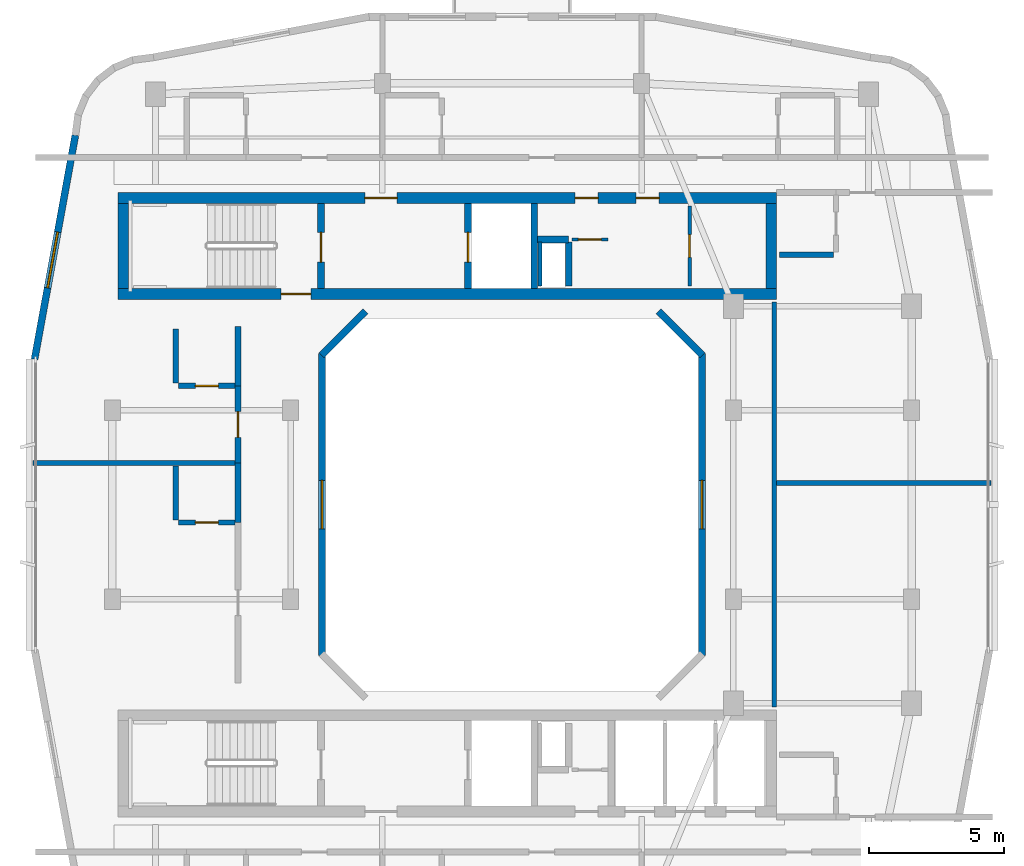
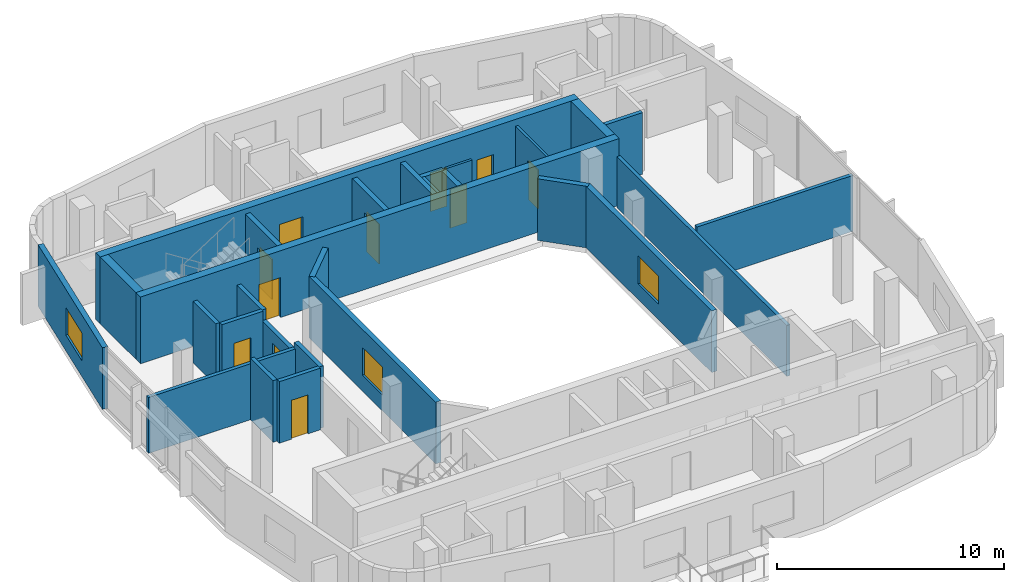
# One storey, part 5 of 10: 28 walls, 11 doors, 3 windows, 14 openings.
"""IFC4 building model written with IfcOpenShell, lengths in metres."""

from ifc_helpers import new_model, si_unit, derived_unit, direction, frame, frame_2d, origin, place, context, subcontext, project, spatial, rectangle, extrude, material, layer, layer_set, type_object, element, fill, save


model = new_model("IFC4")

# Units and contexts
model_context = context("Model", 3, precision=1e-05, world=origin(), true_north=direction((0.0, 1.0)))
body_context = subcontext(model_context, "Body", "Model", "MODEL_VIEW")
ifc_project = project(units=[si_unit("LENGTHUNIT", "METRE"), si_unit("AREAUNIT", "SQUARE_METRE"), si_unit("VOLUMEUNIT", "CUBIC_METRE"), si_unit("PLANEANGLEUNIT", "RADIAN"), si_unit("MASSUNIT", "GRAM", prefix="KILO"), derived_unit("THERMALTRANSMITTANCEUNIT", [(si_unit("POWERUNIT", "WATT"), 1), (si_unit("LENGTHUNIT", "METRE"), -2), (si_unit("THERMODYNAMICTEMPERATUREUNIT", "KELVIN"), -1)])], contexts=[model_context])

# Site, building, storey
site_placement = place(None, origin())
site = spatial("IfcSite", under=ifc_project, at=site_placement, CompositionType="ELEMENT")
building_placement = place(site_placement, origin())
building = spatial("IfcBuilding", under=site, at=building_placement, Name="Kivonza Crest Hotel", CompositionType="ELEMENT")
storey_placement = place(building_placement, frame((0.0, 0.0, 254.0)))
storey = spatial("IfcBuildingStorey", under=building, at=storey_placement, Name="L69", CompositionType="ELEMENT", Elevation=254.0)

# Walls
ifc_material_1 = material(Name="High-density acoustic masonry inter-tenancy wall", Category="masonry")
ifc_layer_1 = layer(ifc_material_1, 0.179931640625)
ifc_layer_set_1 = layer_set([ifc_layer_1], Name="High-density acoustic masonry inter-tenancy wall")
wall_type_1 = type_object("IfcWallType", Name="WL-ACOU-180", PredefinedType="SOLIDWALL", material=ifc_layer_set_1)
wall_1_placement = place(storey_placement, frame((3.260009765625, 26.5400390625, 0.0), z_axis=(0.0, 0.0, 1.0), x_axis=(1.0, 0.0, 0.0)))
element("IfcWall", 1, at=wall_1_placement, inside=storey, type_object=wall_type_1, Name="L69 interior partition WA-L69-T1W-DIV1", PredefinedType="SOLIDWALL", context=body_context, shape_type="SweptSolid", body=[
    extrude(rectangle(XDim=7.590087890625, YDim=0.179931640625, at=frame_2d((3.794921875, 0.0))), origin(), (0.0, 0.0, 1.0), 3.014892578125),
])
wall_2_placement = place(storey_placement, frame((30.800048828125, 25.800048828125, 0.0), z_axis=(0.0, 0.0, 1.0), x_axis=(1.0, 0.0, 0.0)))
element("IfcWall", 2, at=wall_2_placement, inside=storey, type_object=wall_type_1, Name="L69 interior partition WA-L69-T1EC-DIV", PredefinedType="SOLIDWALL", context=body_context, shape_type="SweptSolid", body=[
    extrude(rectangle(XDim=7.93994140625, YDim=0.179931640625, at=frame_2d((3.969970703125, 0.0))), origin(), (0.0, 0.0, 1.0), 3.014892578125),
])
wall_3_placement = place(storey_placement, frame((30.7099609375, 17.5, 0.0), z_axis=(0.0, 0.0, 1.0), x_axis=(0.0, 1.0, 0.0)))
element("IfcWall", 3, at=wall_3_placement, inside=storey, type_object=wall_type_1, Name="L69 interior partition WA-L69-T1EC-W", PredefinedType="SOLIDWALL", context=body_context, shape_type="SweptSolid", body=[
    extrude(rectangle(XDim=15.0, YDim=0.179931640625, at=frame_2d((7.5, 0.0))), origin(), (0.0, 0.0, 1.0), 2.7451171875),
])
ifc_material_2 = material(Name="Autoclaved aerated concrete blockwork", Category="masonry")
ifc_layer_2 = layer(ifc_material_2, 0.219970703125)
ifc_layer_set_2 = layer_set([ifc_layer_2], Name="Autoclaved aerated concrete blockwork")
wall_type_2 = type_object("IfcWallType", Name="WL-ACOU-220", PredefinedType="SOLIDWALL", material=ifc_layer_set_2)
wall_4_placement = place(storey_placement, frame((10.85009765625, 24.340087890625, 0.0), z_axis=(0.0, 0.0, 1.0), x_axis=(0.0, 1.0, 0.0)))
element("IfcWall", 4, at=wall_4_placement, inside=storey, type_object=wall_type_2, Name="L69 interior partition WA-L69-W06-BCORR", PredefinedType="SOLIDWALL", context=body_context, shape_type="SweptSolid", body=[
    extrude(rectangle(XDim=2.199951171875, YDim=0.219970703125, at=frame_2d((1.10009765625, 0.0))), origin(), (0.0, 0.0, 1.0), 3.320068359375),
])
wall_5_placement = place(storey_placement, frame((10.85009765625, 29.39990234375, 0.0), z_axis=(0.0, 0.0, 1.0), x_axis=(0.0, 1.0, 0.0)))
element("IfcWall", 5, at=wall_5_placement, inside=storey, type_object=wall_type_2, Name="L69 interior partition WA-L69-W07-BCORR", PredefinedType="SOLIDWALL", context=body_context, shape_type="SweptSolid", body=[
    extrude(rectangle(XDim=2.2001953125, YDim=0.219970703125, at=frame_2d((1.10009765625, 0.0))), origin(), (0.0, 0.0, 1.0), 3.320068359375),
])

# Wall, opening, door
wall_6_placement = place(storey_placement, frame((10.85009765625, 26.5400390625, 0.0), z_axis=(0.0, 0.0, 1.0), x_axis=(0.0, 1.0, 0.0)))
wall_6 = element("IfcWall", 6, at=wall_6_placement, inside=storey, type_object=wall_type_2, Name="L69 interior partition WA-L69-W07-MCORR", PredefinedType="SOLIDWALL", context=body_context, shape_type="SweptSolid", body=[
    extrude(rectangle(XDim=2.85986328125, YDim=0.219970703125, at=frame_2d((1.429931640625, 0.0))), origin(), (0.0, 0.0, 1.0), 2.7451171875),
])
opening_1_placement = place(wall_6_placement, frame((0.955078125, 0.0, 0.0)))
opening_1 = element("IfcOpeningElement", 7, at=opening_1_placement, cuts=wall_6, Name="Opening DU-60", PredefinedType="OPENING", context=body_context, shape_type="SweptSolid", body=[
    extrude(rectangle(XDim=0.949951171875, YDim=2.10009765625, at=frame_2d((0.47509765625, 1.050048828125))), frame((0.0, 0.1201171875, 0.0), z_axis=(0.0, -1.0, 0.0), x_axis=(1.0, 0.0, 0.0)), (0.0, 0.0, 1.0), 0.239990234375),
])
ifc_material_3 = material(Name="Hardwood timber oak", Category="wood")
door_type_1 = type_object("IfcDoorType", Name="DR-UNIT-950", OperationType="NOTDEFINED", PredefinedType="DOOR", material=ifc_material_3)
door_1_placement = place(opening_1_placement, origin())
door_1 = element("IfcDoor", 8, at=door_1_placement, inside=storey, type_object=door_type_1, Name="L69 W07 guest unit entrance fire door", OperationType="SINGLE_SWING_LEFT", OverallHeight=2.10009765625, OverallWidth=0.949951171875, PredefinedType="DOOR", context=body_context, shape_type="SweptSolid", body=[
    extrude(rectangle(XDim=0.949951171875, YDim=2.10009765625, at=frame_2d((0.47509765625, 1.050048828125))), frame((0.0, 0.02490234375, 0.0), z_axis=(0.0, -1.0, 0.0), x_axis=(1.0, 0.0, 0.0)), (0.0, 0.0, 1.0), 0.050048828125),
])
fill(opening_1, door_1)

ifc_material_4 = material(Name="Concrete C50/60", Category="concrete")
ifc_layer_3 = layer(ifc_material_4, 0.39990234375)
ifc_layer_set_3 = layer_set([ifc_layer_3], Name="Concrete C50/60")
wall_type_3 = type_object("IfcWallType", Name="WL-CORE-400", PredefinedType="SHEAR", material=ifc_layer_set_3)
wall_7_placement = place(storey_placement, frame((6.39990234375, 32.800048828125, 0.0), z_axis=(0.0, 0.0, 1.0), x_axis=(1.0, 0.0, 0.0)))
wall_7 = element("IfcWall", 9, at=wall_7_placement, inside=storey, type_object=wall_type_3, Name="Core wall T1-N South L69", PredefinedType="SHEAR", context=body_context, shape_type="SweptSolid", body=[
    extrude(rectangle(XDim=24.400146484375, YDim=0.39990234375, at=frame_2d((12.2001953125, 0.0))), origin(), (0.0, 0.0, 1.0), 3.60009765625),
])
opening_2_placement = place(wall_7_placement, frame((6.050048828125, 0.0, 0.0)))
opening_2 = element("IfcOpeningElement", 10, at=opening_2_placement, cuts=wall_7, Name="Opening DF-120", PredefinedType="OPENING", context=body_context, shape_type="SweptSolid", body=[
    extrude(rectangle(XDim=1.10009765625, YDim=2.14990234375, at=frame_2d((0.550048828125, 1.074951171875))), frame((0.0, 0.2099609375, 0.0), z_axis=(0.0, -1.0, 0.0), x_axis=(1.0, 0.0, 0.0)), (0.0, 0.0, 1.0), 0.419921875),
])
ifc_material_5 = material(Name="Galvanised steel", Category="steel")
door_type_2 = type_object("IfcDoorType", Name="DR-FD120-1100", OperationType="NOTDEFINED", PredefinedType="DOOR", material=ifc_material_5)
door_2_placement = place(opening_2_placement, origin())
door_2 = element("IfcDoor", 11, at=door_2_placement, inside=storey, type_object=door_type_2, Name="L69 West corridor stair access fire door", OperationType="SINGLE_SWING_LEFT", OverallHeight=2.14990234375, OverallWidth=1.10009765625, PredefinedType="DOOR", context=body_context, shape_type="SweptSolid", body=[
    extrude(rectangle(XDim=1.10009765625, YDim=2.14990234375, at=frame_2d((0.550048828125, 1.074951171875))), frame((0.0, 0.02490234375, 0.0), z_axis=(0.0, -1.0, 0.0), x_axis=(1.0, 0.0, 0.0)), (0.0, 0.0, 1.0), 0.050048828125),
])
fill(opening_2, door_2)

# Wall, openings, doors
wall_8_placement = place(storey_placement, frame((6.39990234375, 36.360107421875, 0.0), z_axis=(0.0, 0.0, 1.0), x_axis=(1.0, 0.0, 0.0)))
wall_8 = element("IfcWall", 12, at=wall_8_placement, inside=storey, type_object=wall_type_3, Name="Core wall T1-N North L69", PredefinedType="SHEAR", context=body_context, shape_type="SweptSolid", body=[
    extrude(rectangle(XDim=24.400146484375, YDim=0.39990234375, at=frame_2d((12.2001953125, 0.0))), origin(), (0.0, 0.0, 1.0), 3.60009765625),
])
opening_3_placement = place(wall_8_placement, frame((9.14990234375, 0.0, 0.0)))
opening_3 = element("IfcOpeningElement", 13, at=opening_3_placement, cuts=wall_8, Name="Opening DF-60", PredefinedType="OPENING", context=body_context, shape_type="SweptSolid", body=[
    extrude(rectangle(XDim=1.199951171875, YDim=2.14990234375, at=frame_2d((0.60009765625, 1.074951171875))), frame((0.0, 0.2099609375, 0.0), z_axis=(0.0, -1.0, 0.0), x_axis=(1.0, 0.0, 0.0)), (0.0, 0.0, 1.0), 0.419921875),
])
opening_4_placement = place(wall_8_placement, frame((19.199951171875, 0.0, 0.0)))
opening_4 = element("IfcOpeningElement", 14, at=opening_4_placement, cuts=wall_8, Name="Opening DF-60R", PredefinedType="OPENING", context=body_context, shape_type="SweptSolid", body=[
    extrude(rectangle(XDim=0.85009765625, YDim=2.10009765625, at=frame_2d((0.425048828125, 1.050048828125))), frame((0.0, 0.2099609375, 0.0), z_axis=(0.0, -1.0, 0.0), x_axis=(1.0, 0.0, 0.0)), (0.0, 0.0, 1.0), 0.419921875),
])
opening_5_placement = place(wall_8_placement, frame((16.93994140625, 0.0, 0.0)))
opening_5 = element("IfcOpeningElement", 15, at=opening_5_placement, cuts=wall_8, Name="Opening DF-60R", PredefinedType="OPENING", context=body_context, shape_type="SweptSolid", body=[
    extrude(rectangle(XDim=0.85009765625, YDim=2.10009765625, at=frame_2d((0.425048828125, 1.050048828125))), frame((0.0, 0.2099609375, 0.0), z_axis=(0.0, -1.0, 0.0), x_axis=(1.0, 0.0, 0.0)), (0.0, 0.0, 1.0), 0.419921875),
])
door_type_3 = type_object("IfcDoorType", Name="DR-FD60-1200", OperationType="NOTDEFINED", PredefinedType="DOOR", material=ifc_material_3)
door_3_placement = place(opening_3_placement, origin())
door_3 = element("IfcDoor", 16, at=door_3_placement, inside=storey, type_object=door_type_3, Name="L69 T1-N firefighting lobby fire door", OperationType="SINGLE_SWING_RIGHT", OverallHeight=2.14990234375, OverallWidth=1.199951171875, PredefinedType="DOOR", context=body_context, shape_type="SweptSolid", body=[
    extrude(rectangle(XDim=1.199951171875, YDim=2.14990234375, at=frame_2d((0.60009765625, 1.074951171875))), frame((0.0, 0.02490234375, 0.0), z_axis=(0.0, -1.0, 0.0), x_axis=(1.0, 0.0, 0.0)), (0.0, 0.0, 1.0), 0.050048828125),
])
fill(opening_3, door_3)
door_type_4 = type_object("IfcDoorType", Name="DR-FD60-850", OperationType="NOTDEFINED", PredefinedType="DOOR", material=ifc_material_3)
door_4_placement = place(opening_4_placement, origin())
door_4 = element("IfcDoor", 17, at=door_4_placement, inside=storey, type_object=door_type_4, Name="L69 T1-N reclaimed core service door", OperationType="SINGLE_SWING_LEFT", OverallHeight=2.10009765625, OverallWidth=0.85009765625, PredefinedType="DOOR", context=body_context, shape_type="SweptSolid", body=[
    extrude(rectangle(XDim=0.85009765625, YDim=2.10009765625, at=frame_2d((0.425048828125, 1.050048828125))), frame((0.0, 0.02490234375, 0.0), z_axis=(0.0, -1.0, 0.0), x_axis=(1.0, 0.0, 0.0)), (0.0, 0.0, 1.0), 0.050048828125),
])
fill(opening_4, door_4)
door_5_placement = place(opening_5_placement, origin())
door_5 = element("IfcDoor", 18, at=door_5_placement, inside=storey, type_object=door_type_4, Name="L69 T1-N core room door", OperationType="SINGLE_SWING_RIGHT", OverallHeight=2.10009765625, OverallWidth=0.85009765625, PredefinedType="DOOR", context=body_context, shape_type="SweptSolid", body=[
    extrude(rectangle(XDim=0.85009765625, YDim=2.10009765625, at=frame_2d((0.425048828125, 1.050048828125))), frame((0.0, 0.02490234375, 0.0), z_axis=(0.0, -1.0, 0.0), x_axis=(1.0, 0.0, 0.0)), (0.0, 0.0, 1.0), 0.050048828125),
])
fill(opening_5, door_5)

# Walls
for number, where, z_axis, x_axis, name in (
    (19, (6.60009765625, 33.0, 0.0), (0.0, 0.0, 1.0), (0.0, 1.0, 0.0), "Core wall T1-N West L69"),
    (20, (30.60009765625, 33.0, 0.0), (0.0, 0.0, 1.0), (0.0, 1.0, 0.0), "Core wall T1-N East L69"),
):
    element("IfcWall", number, at=place(storey_placement, frame(where, z_axis=z_axis, x_axis=x_axis)), inside=storey, type_object=wall_type_3, Name=name, PredefinedType="SHEAR", context=body_context, shape_type="SweptSolid", body=[
        extrude(rectangle(XDim=3.159912109375, YDim=0.39990234375, at=frame_2d((1.580078125, 0.0))), origin(), (0.0, 0.0, 1.0), 3.60009765625),
    ])

# Wall, opening, window
ifc_material_6 = material(Name="Precast concrete C40/50", Category="concrete")
ifc_layer_4 = layer(ifc_material_6, 0.260009765625)
ifc_layer_set_4 = layer_set([ifc_layer_4], Name="Precast concrete C40/50")
wall_type_4 = type_object("IfcWallType", Name="WL-EXT-260", PredefinedType="STANDARD", material=ifc_layer_set_4)
wall_9_placement = place(storey_placement, frame((4.8291015625, 38.68505859375, 0.0), z_axis=(0.0, 0.0, 1.0), x_axis=(-0.179061111398, -0.983837953316, 0.0)))
wall_9 = element("IfcWall", 21, at=wall_9_placement, inside=storey, type_object=wall_type_4, Name="L69 T1 exterior insulated wall 34", PredefinedType="STANDARD", context=body_context, shape_type="SweptSolid", body=[
    extrude(rectangle(XDim=8.4384765625, YDim=0.260009765625, at=frame_2d((4.21923828125, 0.0))), origin(), (0.0, 0.0, 1.0), 3.320068359375),
])
opening_6_placement = place(wall_9_placement, frame((3.64794921875, 0.0, 0.85009765625)))
opening_6 = element("IfcOpeningElement", 22, at=opening_6_placement, cuts=wall_9, Name="Opening WN-04", PredefinedType="OPENING", context=body_context, shape_type="SweptSolid", body=[
    extrude(rectangle(XDim=2.10009765625, YDim=1.5, at=frame_2d((1.050048828125, 0.75))), frame((0.0, 0.14013671875, 0.0), z_axis=(0.0, -1.0, 0.0), x_axis=(1.0, 0.0, 0.0)), (0.0, 0.0, 1.0), 0.280029296875),
])
ifc_material_7 = material(Name="Thermally broken bronze aluminium and low-E double glazing", Category="aluminium")
window_type_1 = type_object("IfcWindowType", Name="WN-210x150", PartitioningType="DOUBLE_PANEL_VERTICAL", PredefinedType="WINDOW", material=ifc_material_7)
window_1_placement = place(opening_6_placement, origin())
window_1 = element("IfcWindow", 23, at=window_1_placement, inside=storey, type_object=window_type_1, Name="L69 T1 facade window 34", OverallHeight=1.5, OverallWidth=2.10009765625, PartitioningType="SINGLE_PANEL", PredefinedType="WINDOW", context=body_context, shape_type="SweptSolid", body=[
    extrude(rectangle(XDim=2.10009765625, YDim=1.5, at=frame_2d((1.050048828125, 0.75))), frame((0.0, 0.030029296875, 0.0), z_axis=(0.0, -1.0, 0.0), x_axis=(1.0, 0.0, 0.0)), (0.0, 0.0, 1.0), 0.06005859375),
])
fill(opening_6, window_1)

wall_10_placement = place(storey_placement, frame((28.030029296875, 19.409912109375, 0.0), z_axis=(0.0, 0.0, 1.0), x_axis=(0.0, 1.0, 0.0)))
wall_10 = element("IfcWall", 24, at=wall_10_placement, inside=storey, type_object=wall_type_4, Name="L69 T1 light-well exterior wall 3", PredefinedType="STANDARD", context=body_context, shape_type="SweptSolid", body=[
    extrude(rectangle(XDim=11.18017578125, YDim=0.260009765625, at=frame_2d((5.590087890625, 0.0))), origin(), (0.0, 0.0, 1.0), 3.320068359375),
])
opening_7_placement = place(wall_10_placement, frame((4.68994140625, 0.0, 0.85009765625)))
opening_7 = element("IfcOpeningElement", 25, at=opening_7_placement, cuts=wall_10, Name="Opening WN-03", PredefinedType="OPENING", context=body_context, shape_type="SweptSolid", body=[
    extrude(rectangle(XDim=1.800048828125, YDim=1.5, at=frame_2d((0.89990234375, 0.75))), frame((0.0, 0.14013671875, 0.0), z_axis=(0.0, -1.0, 0.0), x_axis=(1.0, 0.0, 0.0)), (0.0, 0.0, 1.0), 0.280029296875),
])
window_type_2 = type_object("IfcWindowType", Name="WN-180x150", PartitioningType="DOUBLE_PANEL_VERTICAL", PredefinedType="WINDOW", material=ifc_material_7)
window_2_placement = place(opening_7_placement, origin())
window_2 = element("IfcWindow", 26, at=window_2_placement, inside=storey, type_object=window_type_2, Name="L69 T1 light-well window 3", OverallHeight=1.5, OverallWidth=1.800048828125, PartitioningType="SINGLE_PANEL", PredefinedType="WINDOW", context=body_context, shape_type="SweptSolid", body=[
    extrude(rectangle(XDim=1.800048828125, YDim=1.5, at=frame_2d((0.89990234375, 0.75))), frame((0.0, 0.030029296875, 0.0), z_axis=(0.0, -1.0, 0.0), x_axis=(1.0, 0.0, 0.0)), (0.0, 0.0, 1.0), 0.06005859375),
])
fill(opening_7, window_2)

# Walls
for number, where, z_axis, x_axis, name in (
    (27, (28.055908203125, 30.528076171875, 0.0), (0.0, 0.0, 1.0), (-0.707053950914, 0.707159607512, 0.0), "L69 T1 light-well exterior wall 4"),
    (28, (15.577880859375, 32.162109375, 0.0), (0.0, 0.0, 1.0), (-0.707053950914, -0.707159607512, 0.0), "L69 T1 light-well exterior wall 6"),
):
    element("IfcWall", number, at=place(storey_placement, frame(where, z_axis=z_axis, x_axis=x_axis)), inside=storey, type_object=wall_type_4, Name=name, PredefinedType="STANDARD", context=body_context, shape_type="SweptSolid", body=[
        extrude(rectangle(XDim=2.310791015625, YDim=0.260009765625, at=frame_2d((1.1552734375, 0.0))), origin(), (0.0, 0.0, 1.0), 3.320068359375),
    ])

# Wall, opening, window
wall_11_placement = place(storey_placement, frame((13.969970703125, 30.590087890625, 0.0), z_axis=(0.0, 0.0, 1.0), x_axis=(0.0, -1.0, 0.0)))
wall_11 = element("IfcWall", 29, at=wall_11_placement, inside=storey, type_object=wall_type_4, Name="L69 T1 light-well exterior wall 7", PredefinedType="STANDARD", context=body_context, shape_type="SweptSolid", body=[
    extrude(rectangle(XDim=11.18017578125, YDim=0.260009765625, at=frame_2d((5.590087890625, 0.0))), origin(), (0.0, 0.0, 1.0), 3.320068359375),
])
opening_8_placement = place(wall_11_placement, frame((4.68994140625, 0.0, 0.85009765625)))
opening_8 = element("IfcOpeningElement", 30, at=opening_8_placement, cuts=wall_11, Name="Opening WN-03", PredefinedType="OPENING", context=body_context, shape_type="SweptSolid", body=[
    extrude(rectangle(XDim=1.800048828125, YDim=1.5, at=frame_2d((0.89990234375, 0.75))), frame((0.0, 0.14013671875, 0.0), z_axis=(0.0, -1.0, 0.0), x_axis=(1.0, 0.0, 0.0)), (0.0, 0.0, 1.0), 0.280029296875),
])
window_3_placement = place(opening_8_placement, origin())
window_3 = element("IfcWindow", 31, at=window_3_placement, inside=storey, type_object=window_type_2, Name="L69 T1 light-well window 7", OverallHeight=1.5, OverallWidth=1.800048828125, PartitioningType="SINGLE_PANEL", PredefinedType="WINDOW", context=body_context, shape_type="SweptSolid", body=[
    extrude(rectangle(XDim=1.800048828125, YDim=1.5, at=frame_2d((0.89990234375, 0.75))), frame((0.0, 0.030029296875, 0.0), z_axis=(0.0, -1.0, 0.0), x_axis=(1.0, 0.0, 0.0)), (0.0, 0.0, 1.0), 0.06005859375),
])
fill(opening_8, window_3)

# Walls
ifc_material_8 = material(Name="Concrete blockwork fire-compartment wall", Category="masonry")
ifc_layer_5 = layer(ifc_material_8, 0.25)
ifc_layer_set_5 = layer_set([ifc_layer_5], Name="Concrete blockwork fire-compartment wall")
wall_type_5 = type_object("IfcWallType", Name="WL-FIRE-250", PredefinedType="SOLIDWALL", material=ifc_layer_set_5)
wall_12_placement = place(storey_placement, frame((23.10009765625, 33.10009765625, 0.0), z_axis=(0.0, 0.0, 1.0), x_axis=(0.0, 1.0, 0.0)))
element("IfcWall", 32, at=wall_12_placement, inside=storey, type_object=wall_type_5, Name="L69 interior partition WA-L69-T1-N-MEPR-E", PredefinedType="SOLIDWALL", context=body_context, shape_type="SweptSolid", body=[
    extrude(rectangle(XDim=1.619873046875, YDim=0.25, at=frame_2d((0.81005859375, 0.0))), origin(), (0.0, 0.0, 1.0), 3.320068359375),
])
wall_13_placement = place(storey_placement, frame((21.949951171875, 34.820068359375, 0.0), z_axis=(0.0, 0.0, 1.0), x_axis=(1.0, 0.0, 0.0)))
element("IfcWall", 33, at=wall_13_placement, inside=storey, type_object=wall_type_5, Name="L69 interior partition WA-L69-T1-N-MEPR-H", PredefinedType="SOLIDWALL", context=body_context, shape_type="SweptSolid", body=[
    extrude(rectangle(XDim=1.150146484375, YDim=0.25, at=frame_2d((0.5751953125, 0.0))), origin(), (0.0, 0.0, 1.0), 3.320068359375),
])

# Wall, opening, door
ifc_material_9 = material(Name="Metal-stud gypsum board partition", Category="gypsum")
ifc_layer_6 = layer(ifc_material_9, 0.125)
ifc_layer_set_6 = layer_set([ifc_layer_6], Name="Metal-stud gypsum board partition")
wall_type_6 = type_object("IfcWallType", Name="WL-PART-125", PredefinedType="PARTITIONING", material=ifc_layer_set_6)
wall_14_placement = place(storey_placement, frame((27.580078125, 33.10009765625, 0.0), z_axis=(0.0, 0.0, 1.0), x_axis=(0.0, 1.0, 0.0)))
wall_14 = element("IfcWall", 34, at=wall_14_placement, inside=storey, type_object=wall_type_6, Name="L69 interior partition WP-L69-T1-N-RECL", PredefinedType="PARTITIONING", context=body_context, shape_type="SweptSolid", body=[
    extrude(rectangle(XDim=2.9599609375, YDim=0.125, at=frame_2d((1.47998046875, 0.0))), origin(), (0.0, 0.0, 1.0), 3.320068359375),
])
opening_9_placement = place(wall_14_placement, frame((1.054931640625, 0.0, 0.0)))
opening_9 = element("IfcOpeningElement", 35, at=opening_9_placement, cuts=wall_14, Name="Opening DI-85", PredefinedType="OPENING", context=body_context, shape_type="SweptSolid", body=[
    extrude(rectangle(XDim=0.85009765625, YDim=2.10009765625, at=frame_2d((0.425048828125, 1.050048828125))), frame((0.0, 0.072509765625, 0.0), z_axis=(0.0, -1.0, 0.0), x_axis=(1.0, 0.0, 0.0)), (0.0, 0.0, 1.0), 0.14501953125),
])
door_type_5 = type_object("IfcDoorType", Name="DR-INT-850", OperationType="NOTDEFINED", PredefinedType="DOOR", material=ifc_material_3)
door_6_placement = place(opening_9_placement, origin())
door_6 = element("IfcDoor", 36, at=door_6_placement, inside=storey, type_object=door_type_5, Name="L69 T1-N reclaimed inner pantry door", OperationType="SINGLE_SWING_LEFT", OverallHeight=2.10009765625, OverallWidth=0.85009765625, PredefinedType="DOOR", context=body_context, shape_type="SweptSolid", body=[
    extrude(rectangle(XDim=0.85009765625, YDim=2.10009765625, at=frame_2d((0.425048828125, 1.050048828125))), frame((0.0, 0.02490234375, 0.0), z_axis=(0.0, -1.0, 0.0), x_axis=(1.0, 0.0, 0.0)), (0.0, 0.0, 1.0), 0.050048828125),
])
fill(opening_9, door_6)

wall_15_placement = place(storey_placement, frame((23.219970703125, 34.820068359375, 0.0), z_axis=(0.0, 0.0, 1.0), x_axis=(1.0, 0.0, 0.0)))
wall_15 = element("IfcWall", 37, at=wall_15_placement, inside=storey, type_object=wall_type_6, Name="L69 interior partition WP-L69-T1-N-SV3H", PredefinedType="PARTITIONING", context=body_context, shape_type="SweptSolid", body=[
    extrude(rectangle(XDim=1.330078125, YDim=0.125, at=frame_2d((0.6650390625, 0.0))), origin(), (0.0, 0.0, 1.0), 3.320068359375),
])
opening_10_placement = place(wall_15_placement, frame((0.239990234375, 0.0, 0.0)))
opening_10 = element("IfcOpeningElement", 38, at=opening_10_placement, cuts=wall_15, Name="Opening DI-85", PredefinedType="OPENING", context=body_context, shape_type="SweptSolid", body=[
    extrude(rectangle(XDim=0.85009765625, YDim=2.10009765625, at=frame_2d((0.425048828125, 1.050048828125))), frame((0.0, 0.072509765625, 0.0), z_axis=(0.0, -1.0, 0.0), x_axis=(1.0, 0.0, 0.0)), (0.0, 0.0, 1.0), 0.14501953125),
])
door_7_placement = place(opening_10_placement, origin())
door_7 = element("IfcDoor", 39, at=door_7_placement, inside=storey, type_object=door_type_5, Name="L69 T1-N inner manifold door", OperationType="SINGLE_SWING_LEFT", OverallHeight=2.10009765625, OverallWidth=0.85009765625, PredefinedType="DOOR", context=body_context, shape_type="SweptSolid", body=[
    extrude(rectangle(XDim=0.85009765625, YDim=2.10009765625, at=frame_2d((0.425048828125, 1.050048828125))), frame((0.0, 0.02490234375, 0.0), z_axis=(0.0, -1.0, 0.0), x_axis=(1.0, 0.0, 0.0)), (0.0, 0.0, 1.0), 0.050048828125),
])
fill(opening_10, door_7)

# Wall
ifc_material_10 = material(Name="Twin-stud acoustic gypsum board partition", Category="gypsum")
ifc_layer_7 = layer(ifc_material_10, 0.14990234375)
ifc_layer_set_7 = layer_set([ifc_layer_7], Name="Twin-stud acoustic gypsum board partition")
wall_type_7 = type_object("IfcWallType", Name="WL-PART-150", PredefinedType="PARTITIONING", material=ifc_layer_set_7)
wall_16_placement = place(storey_placement, frame((22.030029296875, 33.10009765625, 0.0), z_axis=(0.0, 0.0, 1.0), x_axis=(0.0, 1.0, 0.0)))
element("IfcWall", 40, at=wall_16_placement, inside=storey, type_object=wall_type_7, Name="L69 interior partition WA-L69-T1-N-MEPR-W", PredefinedType="PARTITIONING", context=body_context, shape_type="SweptSolid", body=[
    extrude(rectangle(XDim=1.619873046875, YDim=0.14990234375, at=frame_2d((0.81005859375, 0.0))), origin(), (0.0, 0.0, 1.0), 3.320068359375),
])

# Wall, opening, door
ifc_material_11 = material(Name="Moisture-resistant plumbing chase partition wall", Category="gypsum")
ifc_layer_8 = layer(ifc_material_11, 0.199951171875)
ifc_layer_set_8 = layer_set([ifc_layer_8], Name="Moisture-resistant plumbing chase partition wall")
wall_type_8 = type_object("IfcWallType", Name="WL-PLUMB-200", PredefinedType="PLUMBINGWALL", material=ifc_layer_set_8)
wall_17_placement = place(storey_placement, frame((8.64990234375, 24.340087890625, 0.0), z_axis=(0.0, 0.0, 1.0), x_axis=(1.0, 0.0, 0.0)))
wall_17 = element("IfcWall", 41, at=wall_17_placement, inside=storey, type_object=wall_type_8, Name="L69 interior partition WW-L69-W06-BH", PredefinedType="PLUMBINGWALL", context=body_context, shape_type="SweptSolid", body=[
    extrude(rectangle(XDim=2.10009765625, YDim=0.199951171875, at=frame_2d((1.050048828125, 0.0))), origin(), (0.0, 0.0, 1.0), 3.320068359375),
])
opening_11_placement = place(wall_17_placement, frame((0.625, 0.0, 0.0)))
opening_11 = element("IfcOpeningElement", 42, at=opening_11_placement, cuts=wall_17, Name="Opening DI-85", PredefinedType="OPENING", context=body_context, shape_type="SweptSolid", body=[
    extrude(rectangle(XDim=0.85009765625, YDim=2.10009765625, at=frame_2d((0.425048828125, 1.050048828125))), frame((0.0, 0.10986328125, 0.0), z_axis=(0.0, -1.0, 0.0), x_axis=(1.0, 0.0, 0.0)), (0.0, 0.0, 1.0), 0.219970703125),
])
door_8_placement = place(opening_11_placement, frame((0.85009765625, 0.0, 0.0), z_axis=(0.0, 0.0, 1.0), x_axis=(-1.0, 0.0, 0.0)))
door_8 = element("IfcDoor", 43, at=door_8_placement, inside=storey, type_object=door_type_5, Name="L69 W06 en-suite bathroom door", OperationType="SINGLE_SWING_LEFT", OverallHeight=2.10009765625, OverallWidth=0.85009765625, PredefinedType="DOOR", context=body_context, shape_type="SweptSolid", body=[
    extrude(rectangle(XDim=0.85009765625, YDim=2.10009765625, at=frame_2d((0.425048828125, 1.050048828125))), frame((0.0, 0.02490234375, 0.0), z_axis=(0.0, -1.0, 0.0), x_axis=(1.0, 0.0, 0.0)), (0.0, 0.0, 1.0), 0.050048828125),
])
fill(opening_11, door_8)

# Wall
wall_18_placement = place(storey_placement, frame((8.550048828125, 24.43994140625, 0.0), z_axis=(0.0, 0.0, 1.0), x_axis=(0.0, 1.0, 0.0)))
element("IfcWall", 44, at=wall_18_placement, inside=storey, type_object=wall_type_8, Name="L69 interior partition WW-L69-W06-BV", PredefinedType="PLUMBINGWALL", context=body_context, shape_type="SweptSolid", body=[
    extrude(rectangle(XDim=2.0, YDim=0.199951171875, at=frame_2d((1.0, 0.0))), origin(), (0.0, 0.0, 1.0), 3.320068359375),
])

# Wall, opening, door
wall_19_placement = place(storey_placement, frame((8.64990234375, 29.39990234375, 0.0), z_axis=(0.0, 0.0, 1.0), x_axis=(1.0, 0.0, 0.0)))
wall_19 = element("IfcWall", 45, at=wall_19_placement, inside=storey, type_object=wall_type_8, Name="L69 interior partition WW-L69-W07-BH", PredefinedType="PLUMBINGWALL", context=body_context, shape_type="SweptSolid", body=[
    extrude(rectangle(XDim=2.10009765625, YDim=0.199951171875, at=frame_2d((1.050048828125, 0.0))), origin(), (0.0, 0.0, 1.0), 3.320068359375),
])
opening_12_placement = place(wall_19_placement, frame((0.625, 0.0, 0.0)))
opening_12 = element("IfcOpeningElement", 46, at=opening_12_placement, cuts=wall_19, Name="Opening DI-85", PredefinedType="OPENING", context=body_context, shape_type="SweptSolid", body=[
    extrude(rectangle(XDim=0.85009765625, YDim=2.10009765625, at=frame_2d((0.425048828125, 1.050048828125))), frame((0.0, 0.10986328125, 0.0), z_axis=(0.0, -1.0, 0.0), x_axis=(1.0, 0.0, 0.0)), (0.0, 0.0, 1.0), 0.219970703125),
])
door_9_placement = place(opening_12_placement, frame((0.85009765625, 0.0, 0.0), z_axis=(0.0, 0.0, 1.0), x_axis=(-1.0, 0.0, 0.0)))
door_9 = element("IfcDoor", 47, at=door_9_placement, inside=storey, type_object=door_type_5, Name="L69 W07 en-suite bathroom door", OperationType="SINGLE_SWING_RIGHT", OverallHeight=2.10009765625, OverallWidth=0.85009765625, PredefinedType="DOOR", context=body_context, shape_type="SweptSolid", body=[
    extrude(rectangle(XDim=0.85009765625, YDim=2.10009765625, at=frame_2d((0.425048828125, 1.050048828125))), frame((0.0, 0.02490234375, 0.0), z_axis=(0.0, -1.0, 0.0), x_axis=(1.0, 0.0, 0.0)), (0.0, 0.0, 1.0), 0.050048828125),
])
fill(opening_12, door_9)

# Walls
for number, where, z_axis, x_axis, name in (
    (48, (8.550048828125, 29.5, 0.0), (0.0, 0.0, 1.0), (0.0, 1.0, 0.0), "L69 interior partition WW-L69-W07-BV"),
    (49, (30.89990234375, 34.260009765625, 0.0), (0.0, 0.0, 1.0), (1.0, 0.0, 0.0), "L69 interior partition WW-L69-EN09-BH"),
):
    element("IfcWall", number, at=place(storey_placement, frame(where, z_axis=z_axis, x_axis=x_axis)), inside=storey, type_object=wall_type_8, Name=name, PredefinedType="PLUMBINGWALL", context=body_context, shape_type="SweptSolid", body=[
        extrude(rectangle(XDim=2.0, YDim=0.199951171875, at=frame_2d((1.0, 0.0))), origin(), (0.0, 0.0, 1.0), 3.320068359375),
    ])

# Wall, opening, door
ifc_layer_9 = layer(ifc_material_4, 0.25)
ifc_layer_set_9 = layer_set([ifc_layer_9], Name="Concrete C50/60")
wall_type_9 = type_object("IfcWallType", Name="WL-SHAFT-250", PredefinedType="STANDARD", material=ifc_layer_set_9)
wall_20_placement = place(storey_placement, frame((13.925048828125, 33.0, 0.0), z_axis=(0.0, 0.0, 1.0), x_axis=(0.0, 1.0, 0.0)))
wall_20 = element("IfcWall", 50, at=wall_20_placement, inside=storey, type_object=wall_type_9, Name="Core shaft wall T1-N STAIR L69", PredefinedType="STANDARD", context=body_context, shape_type="SweptSolid", body=[
    extrude(rectangle(XDim=3.159912109375, YDim=0.25, at=frame_2d((1.580078125, 0.0))), origin(), (0.0, 0.0, 1.0), 3.320068359375),
])
opening_13_placement = place(wall_20_placement, frame((0.97998046875, 0.0, 0.0)))
opening_13 = element("IfcOpeningElement", 51, at=opening_13_placement, cuts=wall_20, Name="Opening DF-120", PredefinedType="OPENING", context=body_context, shape_type="SweptSolid", body=[
    extrude(rectangle(XDim=1.10009765625, YDim=2.14990234375, at=frame_2d((0.550048828125, 1.074951171875))), frame((0.0, 0.135009765625, 0.0), z_axis=(0.0, -1.0, 0.0), x_axis=(1.0, 0.0, 0.0)), (0.0, 0.0, 1.0), 0.27001953125),
])
door_10_placement = place(opening_13_placement, frame((1.10009765625, 0.0, 0.0), z_axis=(0.0, 0.0, 1.0), x_axis=(-1.0, 0.0, 0.0)))
door_10 = element("IfcDoor", 52, at=door_10_placement, inside=storey, type_object=door_type_2, Name="L69 T1-N stair fire door", OperationType="SINGLE_SWING_LEFT", OverallHeight=2.14990234375, OverallWidth=1.10009765625, PredefinedType="DOOR", context=body_context, shape_type="SweptSolid", body=[
    extrude(rectangle(XDim=1.10009765625, YDim=2.14990234375, at=frame_2d((0.550048828125, 1.074951171875))), frame((0.0, 0.02490234375, 0.0), z_axis=(0.0, -1.0, 0.0), x_axis=(1.0, 0.0, 0.0)), (0.0, 0.0, 1.0), 0.050048828125),
])
fill(opening_13, door_10)

wall_21_placement = place(storey_placement, frame((19.375, 33.0, 0.0), z_axis=(0.0, 0.0, 1.0), x_axis=(0.0, 1.0, 0.0)))
wall_21 = element("IfcWall", 53, at=wall_21_placement, inside=storey, type_object=wall_type_9, Name="Core shaft wall T1-N FFL-W L69", PredefinedType="STANDARD", context=body_context, shape_type="SweptSolid", body=[
    extrude(rectangle(XDim=3.159912109375, YDim=0.25, at=frame_2d((1.580078125, 0.0))), origin(), (0.0, 0.0, 1.0), 3.320068359375),
])
opening_14_placement = place(wall_21_placement, frame((0.97998046875, 0.0, 0.0)))
opening_14 = element("IfcOpeningElement", 54, at=opening_14_placement, cuts=wall_21, Name="Opening LD-120", PredefinedType="OPENING", context=body_context, shape_type="SweptSolid", body=[
    extrude(rectangle(XDim=1.10009765625, YDim=2.14990234375, at=frame_2d((0.550048828125, 1.074951171875))), frame((0.0, 0.135009765625, 0.0), z_axis=(0.0, -1.0, 0.0), x_axis=(1.0, 0.0, 0.0)), (0.0, 0.0, 1.0), 0.27001953125),
])
ifc_material_12 = material(Name="Stainless steel", Category="steel")
door_type_6 = type_object("IfcDoorType", Name="DR-LD120-1100", OperationType="NOTDEFINED", PredefinedType="DOOR", material=ifc_material_12)
door_11_placement = place(opening_14_placement, origin())
door_11 = element("IfcDoor", 55, at=door_11_placement, inside=storey, type_object=door_type_6, Name="L69 FFL-T1-N firefighting lift sliding landing door", OperationType="DOUBLE_DOOR_SLIDING", OverallHeight=2.14990234375, OverallWidth=1.10009765625, PredefinedType="DOOR", context=body_context, shape_type="SweptSolid", body=[
    extrude(rectangle(XDim=1.10009765625, YDim=2.14990234375, at=frame_2d((0.550048828125, 1.074951171875))), frame((0.0, 0.02490234375, 0.0), z_axis=(0.0, -1.0, 0.0), x_axis=(1.0, 0.0, 0.0)), (0.0, 0.0, 1.0), 0.050048828125),
])
fill(opening_14, door_11)

# Wall
wall_22_placement = place(storey_placement, frame((21.824951171875, 33.0, 0.0), z_axis=(0.0, 0.0, 1.0), x_axis=(0.0, 1.0, 0.0)))
element("IfcWall", 56, at=wall_22_placement, inside=storey, type_object=wall_type_9, Name="Core shaft wall T1-N FFL-E L69", PredefinedType="STANDARD", context=body_context, shape_type="SweptSolid", body=[
    extrude(rectangle(XDim=3.159912109375, YDim=0.25, at=frame_2d((1.580078125, 0.0))), origin(), (0.0, 0.0, 1.0), 3.320068359375),
])

save(model, "model.ifc")
